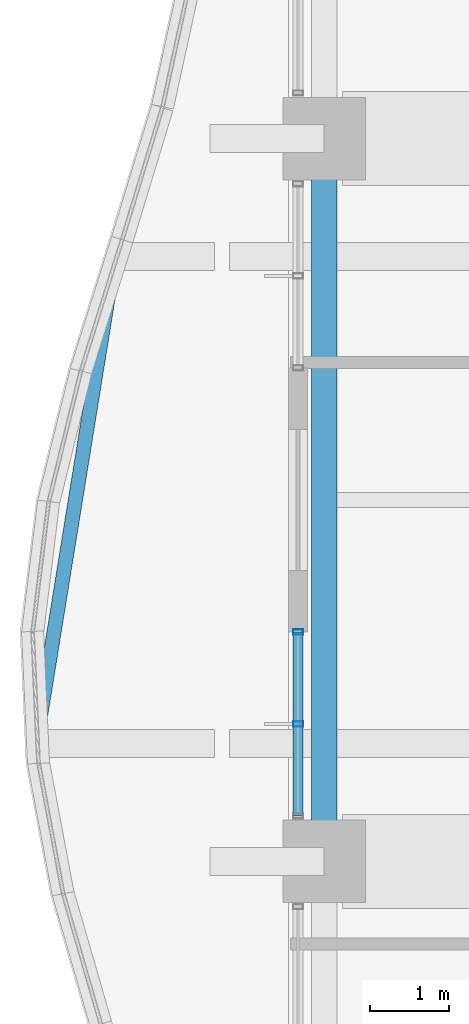
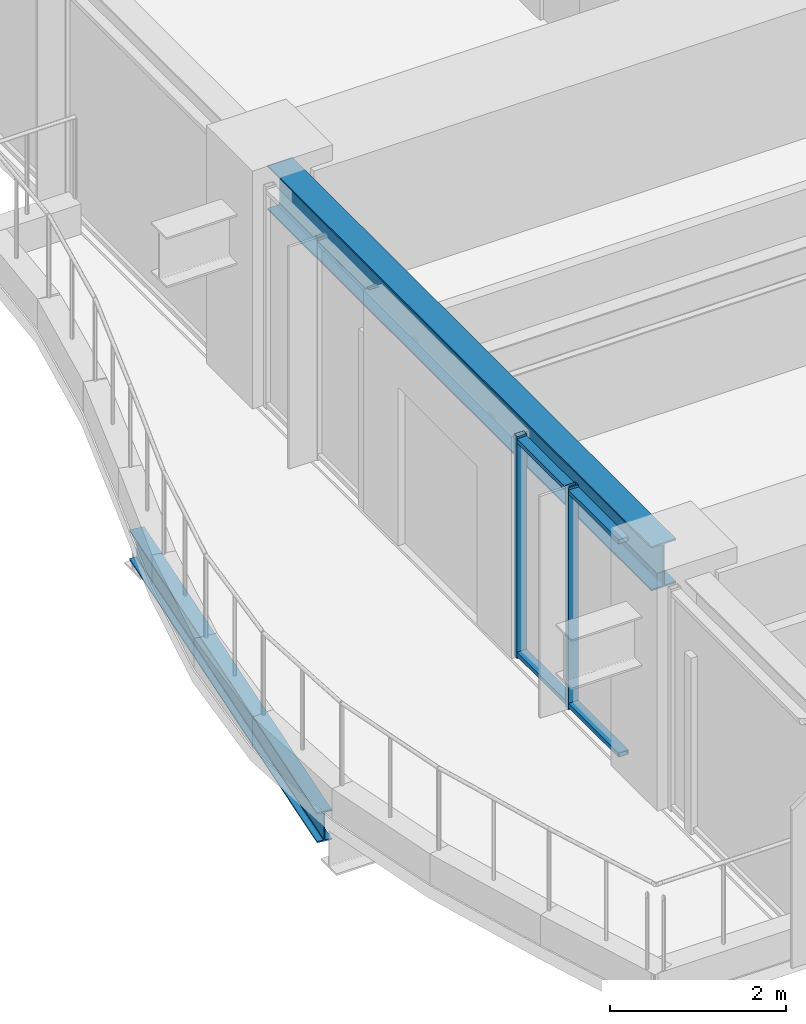
# One storey, part 9 of 36: 4 members, 2 beams, 1 element without a shape of its own.
"""IFC4 building model written with IfcOpenShell, lengths in metres."""

from ifc_helpers import new_model, si_unit, direction, frame, origin, origin_2d, place, context, subcontext, project, spatial, hollow_rectangle, i_section, extrude, material, material_profile, profile_set, type_object, element, aggregate, save


model = new_model("IFC4")

# Units and contexts
model_context = context("Model", 3, precision=1e-05, world=origin(), true_north=direction((0.0, 1.0)))
body_context = subcontext(model_context, "Body", "Model", "MODEL_VIEW")
ifc_project = project(units=[si_unit("LENGTHUNIT", "METRE"), si_unit("AREAUNIT", "SQUARE_METRE"), si_unit("VOLUMEUNIT", "CUBIC_METRE"), si_unit("PLANEANGLEUNIT", "RADIAN"), si_unit("MASSUNIT", "GRAM", prefix="KILO")], contexts=[model_context])

# Site, building, storey
site_placement = place(None, origin())
site = spatial("IfcSite", under=ifc_project, at=site_placement, CompositionType="ELEMENT")
building_placement = place(site_placement, origin())
building = spatial("IfcBuilding", under=site, at=building_placement, Name="Kolvaren Belvedere", CompositionType="ELEMENT")
storey_placement = place(building_placement, frame((0.0, 0.0, 108.5)))
storey = spatial("IfcBuildingStorey", under=building, at=storey_placement, Name="L31", CompositionType="ELEMENT", Elevation=108.5)

# Beams
ifc_material_1 = material(Name="Structural steel ASTM A992 Grade 50", Category="steel")
ifc_material_profile_1 = material_profile(ifc_material_1, i_section(OverallWidth=0.180908203125, OverallDepth=0.4169921875, WebThickness=0.010986328125, FlangeThickness=0.018310546875, FilletRadius=0.013916015625, at=origin_2d()), Name="W16X57")
ifc_profile_set_1 = profile_set([ifc_material_profile_1], Name="Structural steel ASTM A992 Grade 50")
beam_type_1 = type_object("IfcBeamType", Name="BM-EDGE-W16X57", PredefinedType="BEAM", material=ifc_profile_set_1)
beam_1_placement = place(storey_placement, frame((-22.293701171875, -2.9619140625, -0.428466796875), z_axis=(0.159567567211, 0.987187009383, 0.0), x_axis=(-0.987187009383, 0.159567567211, 0.0)))
element("IfcBeam", 1, at=beam_1_placement, inside=storey, type_object=beam_type_1, Name="L31 Balcony Tip Header Beam BAL-W", PredefinedType="BEAM", context=body_context, shape_type="SweptSolid", body=[
    extrude(i_section(OverallWidth=0.180908203125, OverallDepth=0.4169921875, WebThickness=0.010986328125, FlangeThickness=0.018310546875, FilletRadius=0.013916015625, at=origin_2d()), origin(), (0.0, 0.0, 1.0), 6.000732421875),
])
ifc_material_2 = material(Name="Structural steel ASTM A992 Grade 50", Category="steel")
ifc_material_profile_2 = material_profile(ifc_material_2, i_section(OverallWidth=0.324951171875, OverallDepth=0.615966796875, WebThickness=0.013916015625, FlangeThickness=0.021484375, FilletRadius=0.02001953125, at=origin_2d()), Name="W24X117")
ifc_profile_set_2 = profile_set([ifc_material_profile_2], Name="Structural steel ASTM A992 Grade 50")
beam_type_2 = type_object("IfcBeamType", Name="BM-SPAN-W24X117", PredefinedType="SPANDREL", material=ifc_profile_set_2)
beam_2_placement = place(storey_placement, frame((-18.64990234375, 4.36376953125, 2.77197265625), z_axis=(0.0, -1.0, 0.0), x_axis=(1.0, 0.0, 0.0)))
element("IfcBeam", 2, at=beam_2_placement, inside=storey, type_object=beam_type_2, Name="L31 Perimeter Spandrel W3-W2", PredefinedType="SPANDREL", context=body_context, shape_type="SweptSolid", body=[
    extrude(i_section(OverallWidth=0.324951171875, OverallDepth=0.615966796875, WebThickness=0.013916015625, FlangeThickness=0.021484375, FilletRadius=0.02001953125, at=origin_2d()), origin(), (0.0, 0.0, 1.0), 8.7275390625),
])

# Curtain wall, members
ifc_material_3 = material(Name="Anodised pale-metal aluminium AA 6063-T6", Category="aluminium")
curtain_wall_type = type_object("IfcCurtainWallType", Name="CW-Z3-WAIST", PredefinedType="NOTDEFINED", material=ifc_material_3)
curtain_wall_placement = place(storey_placement, origin())
curtain_wall = element("IfcCurtainWall", 3, at=curtain_wall_placement, inside=storey, type_object=curtain_wall_type, Name="L31 Unitised Curtain Wall FCW-L31-W1-B2", PredefinedType="NOTDEFINED")
ifc_material_4 = material(Name="Anodised pale-metal aluminium AA 6063-T6", Category="aluminium")
ifc_material_profile_3 = material_profile(ifc_material_4, hollow_rectangle(XDim=0.06494140625, YDim=0.1298828125, WallThickness=0.00390625, at=origin_2d()), Name="ALU-MUL-130X65")
ifc_profile_set_3 = profile_set([ifc_material_profile_3], Name="Anodised pale-metal aluminium AA 6063-T6")
member_type_1 = type_object("IfcMemberType", Name="CW-MUL-130", PredefinedType="MULLION", material=ifc_profile_set_3)
member_1_placement = place(storey_placement, frame((-18.97998046875, -2.851318359375, 0.0), z_axis=(0.0, 0.0, 1.0), x_axis=(0.0, 1.0, 0.0)))
member_1 = element("IfcMember", 4, at=member_1_placement, type_object=member_type_1, Name="FCW-L31-W1-B2 Unitised Mullion 2", PredefinedType="MULLION", context=body_context, shape_type="SweptSolid", body=[
    extrude(hollow_rectangle(XDim=0.06494140625, YDim=0.1298828125, WallThickness=0.00390625, at=origin_2d()), origin(), (0.0, 0.0, 1.0), 3.080078125),
])
member_2_placement = place(storey_placement, frame((-18.97998046875, -1.679931640625, 0.0), z_axis=(0.0, 0.0, 1.0), x_axis=(0.0, 1.0, 0.0)))
member_2 = element("IfcMember", 5, at=member_2_placement, type_object=member_type_1, Name="FCW-L31-W1-B2 Unitised Mullion 3", PredefinedType="MULLION", context=body_context, shape_type="SweptSolid", body=[
    extrude(hollow_rectangle(XDim=0.06494140625, YDim=0.1298828125, WallThickness=0.00390625, at=origin_2d()), origin(), (0.0, 0.0, 1.0), 3.080078125),
])
ifc_material_5 = material(Name="Anodised pale-metal aluminium AA 6063-T6", Category="aluminium")
ifc_material_profile_4 = material_profile(ifc_material_5, hollow_rectangle(XDim=0.06005859375, YDim=0.1298828125, WallThickness=0.00390625, at=origin_2d()), Name="ALU-TRN-130X60")
ifc_profile_set_4 = profile_set([ifc_material_profile_4], Name="Anodised pale-metal aluminium AA 6063-T6")
member_type_2 = type_object("IfcMemberType", Name="CW-TRN-130", PredefinedType="USERDEFINED", material=ifc_profile_set_4)
member_3_placement = place(storey_placement, frame((-18.97998046875, -4.0224609375, 0.06005859375), z_axis=(0.0, 1.0, 0.0), x_axis=(0.0, 0.0, 1.0)))
member_3 = element("IfcMember", 6, at=member_3_placement, type_object=member_type_2, Name="FCW-L31-W1-B2 Sill Transom", ObjectType="TRANSOM", PredefinedType="USERDEFINED", context=body_context, shape_type="SweptSolid", body=[
    extrude(hollow_rectangle(XDim=0.06005859375, YDim=0.1298828125, WallThickness=0.00390625, at=origin_2d()), origin(), (0.0, 0.0, 1.0), 2.342529296875),
])
member_4_placement = place(storey_placement, frame((-18.97998046875, -4.0224609375, 3.02001953125), z_axis=(0.0, 1.0, 0.0), x_axis=(0.0, 0.0, 1.0)))
member_4 = element("IfcMember", 7, at=member_4_placement, type_object=member_type_2, Name="FCW-L31-W1-B2 Head Transom", ObjectType="TRANSOM", PredefinedType="USERDEFINED", context=body_context, shape_type="SweptSolid", body=[
    extrude(hollow_rectangle(XDim=0.06005859375, YDim=0.1298828125, WallThickness=0.00390625, at=origin_2d()), origin(), (0.0, 0.0, 1.0), 2.342529296875),
])
aggregate(curtain_wall, [member_1, member_2, member_3, member_4])

save(model, "model.ifc")
